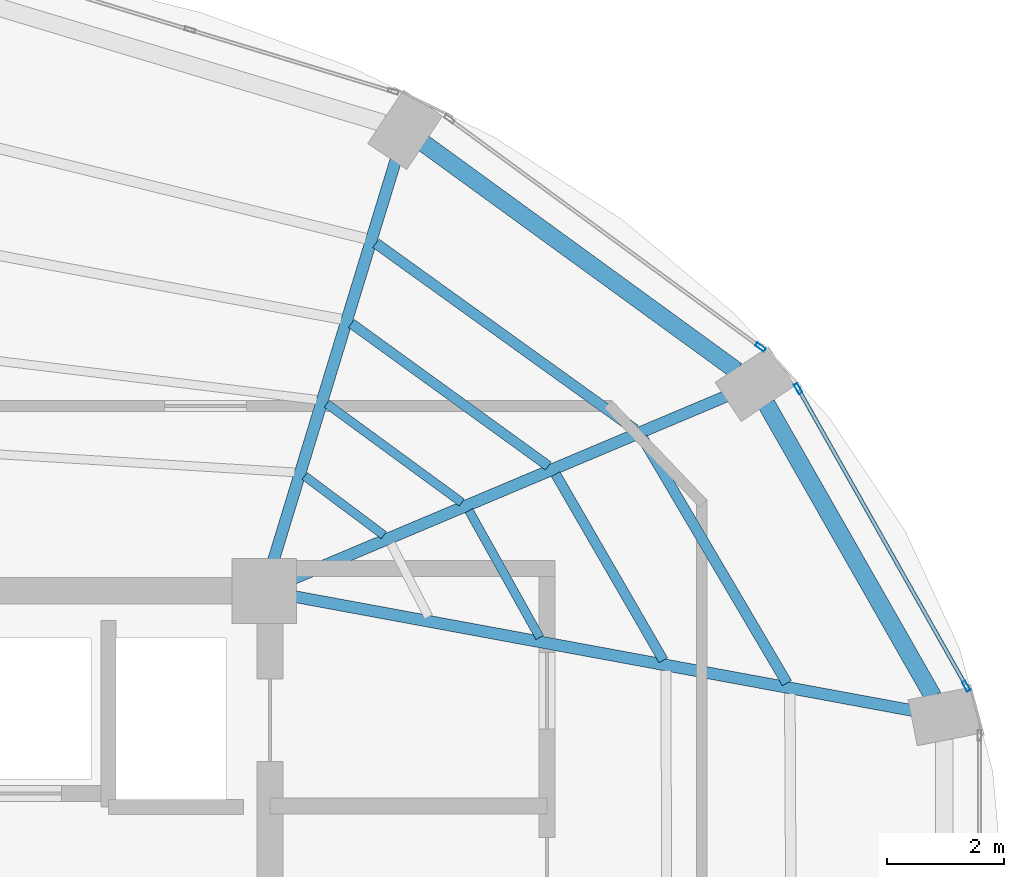
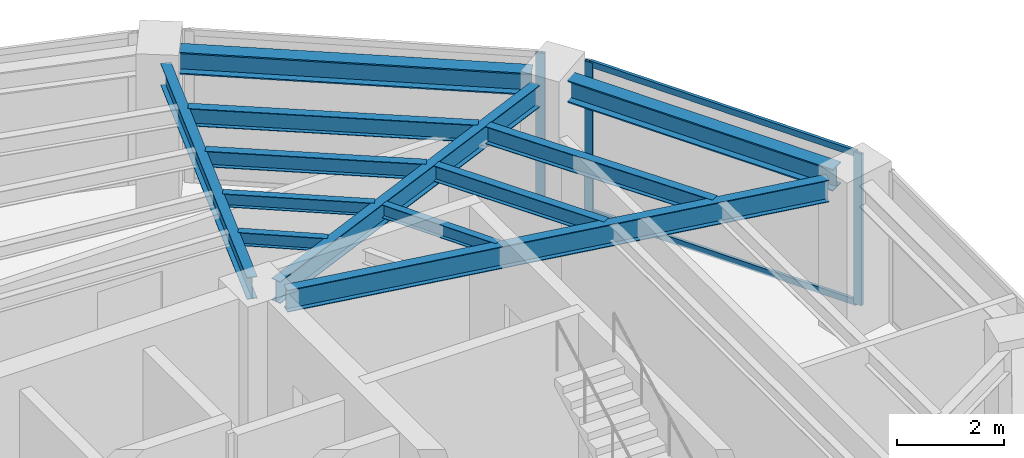
# One storey, part 15 of 22: 12 beams, 5 members, 2 elements without a shape of their own.
"""IFC4 building model written with IfcOpenShell, lengths in metres."""

from ifc_helpers import new_model, si_unit, direction, frame, origin, origin_2d, place, context, subcontext, project, spatial, hollow_rectangle, i_section, extrude, material, layer, layer_set, material_profile, profile_set, type_object, element, aggregate, save


model = new_model("IFC4")

# Units and contexts
model_context = context("Model", 3, precision=1e-05, world=origin(), true_north=direction((0.0, 1.0)))
body_context = subcontext(model_context, "Body", "Model", "MODEL_VIEW")
ifc_project = project(units=[si_unit("LENGTHUNIT", "METRE"), si_unit("AREAUNIT", "SQUARE_METRE"), si_unit("VOLUMEUNIT", "CUBIC_METRE"), si_unit("PLANEANGLEUNIT", "RADIAN"), si_unit("MASSUNIT", "GRAM", prefix="KILO")], contexts=[model_context])

# Site, building, storey
site_placement = place(None, origin())
site = spatial("IfcSite", under=ifc_project, at=site_placement, CompositionType="ELEMENT")
building_placement = place(site_placement, origin())
building = spatial("IfcBuilding", under=site, at=building_placement, Name="Lazwardi Medical Tower", CompositionType="ELEMENT")
storey_placement = place(building_placement, frame((0.0, 0.0, 255.02392578125)))
storey = spatial("IfcBuildingStorey", under=building, at=storey_placement, Name="L66", CompositionType="ELEMENT", Elevation=255.02392578125)

# Beams
ifc_material_1 = material(Name="Steel S355", Category="steel")
ifc_material_profile_1 = material_profile(ifc_material_1, i_section(OverallWidth=0.300048828125, OverallDepth=0.5, WebThickness=0.014404296875, FlangeThickness=0.028076171875, at=origin_2d()), Name="HEB 500")
ifc_profile_set_1 = profile_set([ifc_material_profile_1], Name="Steel S355")
beam_type_1 = type_object("IfcBeamType", Name="BM-RB-Z4", PredefinedType="BEAM", material=ifc_profile_set_1)
beam_1_placement = place(storey_placement, frame((56.991943359375, 33.8017578125, 3.197998046875), z_axis=(-0.495125273299, 0.868821594886, 0.0), x_axis=(-0.868821594886, -0.495125273299, 0.0)))
element("IfcBeam", 1, at=beam_1_placement, inside=storey, type_object=beam_type_1, Name="Ring beam RB-05 B05 L66", PredefinedType="BEAM", context=body_context, shape_type="SweptSolid", body=[
    extrude(i_section(OverallWidth=0.300048828125, OverallDepth=0.5, WebThickness=0.014404296875, FlangeThickness=0.028076171875, at=origin_2d()), origin(), (0.0, 0.0, 1.0), 5.734130859375),
])
beam_2_placement = place(storey_placement, frame((53.644287109375, 39.351806640625, 3.197998046875), z_axis=(-0.808889916254, 0.587960120571, 0.0), x_axis=(-0.587960120571, -0.808889916254, 0.0)))
element("IfcBeam", 2, at=beam_2_placement, inside=storey, type_object=beam_type_1, Name="Ring beam RB-05 B06 L66", PredefinedType="BEAM", context=body_context, shape_type="SweptSolid", body=[
    extrude(i_section(OverallWidth=0.300048828125, OverallDepth=0.5, WebThickness=0.014404296875, FlangeThickness=0.028076171875, at=origin_2d()), origin(), (0.0, 0.0, 1.0), 6.587158203125),
])
ifc_material_profile_2 = material_profile(ifc_material_1, i_section(OverallWidth=0.199951171875, OverallDepth=0.5, WebThickness=0.01025390625, FlangeThickness=0.01611328125, at=origin_2d()), Name="IPE 500")
ifc_profile_set_2 = profile_set([ifc_material_profile_2], Name="Steel S355")
beam_type_2 = type_object("IfcBeamType", Name="BM-RG-W3", PredefinedType="BEAM", material=ifc_profile_set_2)
beam_3_placement = place(storey_placement, frame((56.658935546875, 33.56005859375, 3.197998046875), z_axis=(-0.983409341459, 0.181400295288, 0.0), x_axis=(-0.181400295288, -0.983409341459, 0.0)))
element("IfcBeam", 3, at=beam_3_placement, inside=storey, type_object=beam_type_2, Name="Radial girder RG-04 R05 L66", PredefinedType="BEAM", context=body_context, shape_type="SweptSolid", body=[
    extrude(i_section(OverallWidth=0.199951171875, OverallDepth=0.5, WebThickness=0.01025390625, FlangeThickness=0.01611328125, at=origin_2d()), origin(), (0.0, 0.0, 1.0), 10.71044921875),
])
beam_4_placement = place(storey_placement, frame((53.466796875, 38.914794921875, 3.197998046875), z_axis=(-0.921526791352, -0.388314785735, 0.0), x_axis=(0.388314785735, -0.921526791352, 0.0)))
element("IfcBeam", 4, at=beam_4_placement, inside=storey, type_object=beam_type_2, Name="Radial girder RG-04 R06 L66", PredefinedType="BEAM", context=body_context, shape_type="SweptSolid", body=[
    extrude(i_section(OverallWidth=0.199951171875, OverallDepth=0.5, WebThickness=0.01025390625, FlangeThickness=0.01611328125, at=origin_2d()), origin(), (0.0, 0.0, 1.0), 8.001708984375),
])
beam_5_placement = place(storey_placement, frame((47.843994140625, 42.9423828125, 3.197998046875), z_axis=(-0.292276716539, -0.956333791607, 0.0), x_axis=(0.956333791607, -0.292276716539, 0.0)))
element("IfcBeam", 5, at=beam_5_placement, inside=storey, type_object=beam_type_2, Name="Radial girder RG-04 R07 L66", PredefinedType="BEAM", context=body_context, shape_type="SweptSolid", body=[
    extrude(i_section(OverallWidth=0.199951171875, OverallDepth=0.5, WebThickness=0.01025390625, FlangeThickness=0.01611328125, at=origin_2d()), origin(), (0.0, 0.0, 1.0), 7.142822265625),
])
ifc_material_profile_3 = material_profile(ifc_material_1, i_section(OverallWidth=0.179931640625, OverallDepth=0.39990234375, WebThickness=0.008544921875, FlangeThickness=0.013427734375, at=origin_2d()), Name="IPE 400")
ifc_profile_set_3 = profile_set([ifc_material_profile_3], Name="Steel S355")
beam_type_3 = type_object("IfcBeamType", Name="BM-SJ-01", PredefinedType="JOIST", material=ifc_profile_set_3)
beam_6_placement = place(storey_placement, frame((54.504150390625, 34.030517578125, 3.248046875), z_axis=(-0.507710311367, 0.861527851977, 0.0), x_axis=(-0.861527851977, -0.507710311367, 0.0)))
element("IfcBeam", 6, at=beam_6_placement, inside=storey, type_object=beam_type_3, Name="Secondary joist SJ-01 R1 B05 L66", PredefinedType="JOIST", context=body_context, shape_type="SweptSolid", body=[
    extrude(i_section(OverallWidth=0.179931640625, OverallDepth=0.39990234375, WebThickness=0.008544921875, FlangeThickness=0.013427734375, at=origin_2d()), origin(), (0.0, 0.0, 1.0), 4.852783203125),
])
beam_7_placement = place(storey_placement, frame((51.914794921875, 38.348876953125, 3.248046875), z_axis=(-0.811889581337, 0.58381102055, 0.0), x_axis=(-0.58381102055, -0.811889581337, 0.0)))
element("IfcBeam", 7, at=beam_7_placement, inside=storey, type_object=beam_type_3, Name="Secondary joist SJ-01 R1 B06 L66", PredefinedType="JOIST", context=body_context, shape_type="SweptSolid", body=[
    extrude(i_section(OverallWidth=0.179931640625, OverallDepth=0.39990234375, WebThickness=0.008544921875, FlangeThickness=0.013427734375, at=origin_2d()), origin(), (0.0, 0.0, 1.0), 5.433349609375),
])
ifc_material_profile_4 = material_profile(ifc_material_1, i_section(OverallWidth=0.169921875, OverallDepth=0.360107421875, WebThickness=0.008056640625, FlangeThickness=0.0126953125, at=origin_2d()), Name="IPE 360")
ifc_profile_set_4 = profile_set([ifc_material_profile_4], Name="Steel S355")
beam_type_4 = type_object("IfcBeamType", Name="BM-SJ-02", PredefinedType="JOIST", material=ifc_profile_set_4)
beam_8_placement = place(storey_placement, frame((52.398193359375, 34.41943359375, 3.26806640625), z_axis=(-0.500655179543, 0.865646805109, 0.0), x_axis=(-0.865646805109, -0.500655179543, 0.0)))
element("IfcBeam", 8, at=beam_8_placement, inside=storey, type_object=beam_type_4, Name="Secondary joist SJ-02 R2 B05 L66", PredefinedType="JOIST", context=body_context, shape_type="SweptSolid", body=[
    extrude(i_section(OverallWidth=0.169921875, OverallDepth=0.360107421875, WebThickness=0.008056640625, FlangeThickness=0.0126953125, at=origin_2d()), origin(), (0.0, 0.0, 1.0), 3.662109375),
])
beam_9_placement = place(storey_placement, frame((50.440185546875, 37.7275390625, 3.26806640625), z_axis=(-0.810164229155, 0.586202969796, 0.0), x_axis=(-0.586202969796, -0.810164229155, 0.0)))
element("IfcBeam", 9, at=beam_9_placement, inside=storey, type_object=beam_type_4, Name="Secondary joist SJ-02 R2 B06 L66", PredefinedType="JOIST", context=body_context, shape_type="SweptSolid", body=[
    extrude(i_section(OverallWidth=0.169921875, OverallDepth=0.360107421875, WebThickness=0.008056640625, FlangeThickness=0.0126953125, at=origin_2d()), origin(), (0.0, 0.0, 1.0), 4.14013671875),
])
ifc_material_profile_5 = material_profile(ifc_material_1, i_section(OverallWidth=0.14990234375, OverallDepth=0.300048828125, WebThickness=0.007080078125, FlangeThickness=0.0107421875, at=origin_2d()), Name="IPE 300")
ifc_profile_set_5 = profile_set([ifc_material_profile_5], Name="Steel S355")
beam_type_5 = type_object("IfcBeamType", Name="BM-SJ-03", PredefinedType="JOIST", material=ifc_profile_set_5)
beam_10_placement = place(storey_placement, frame((50.29296875, 34.80859375, 3.298095703125), z_axis=(-0.487092942089, 0.873350139272, 0.0), x_axis=(-0.873350139272, -0.487092942089, 0.0)))
element("IfcBeam", 10, at=beam_10_placement, inside=storey, type_object=beam_type_5, Name="Secondary joist SJ-03 R3 B05 L66", PredefinedType="JOIST", context=body_context, shape_type="SweptSolid", body=[
    extrude(i_section(OverallWidth=0.14990234375, OverallDepth=0.300048828125, WebThickness=0.007080078125, FlangeThickness=0.0107421875, at=origin_2d()), origin(), (0.0, 0.0, 1.0), 2.471923828125),
])
beam_11_placement = place(storey_placement, frame((48.9658203125, 37.106689453125, 3.298095703125), z_axis=(-0.80703431267, 0.59050454543, 0.0), x_axis=(-0.59050454543, -0.80703431267, 0.0)))
element("IfcBeam", 11, at=beam_11_placement, inside=storey, type_object=beam_type_5, Name="Secondary joist SJ-03 R3 B06 L66", PredefinedType="JOIST", context=body_context, shape_type="SweptSolid", body=[
    extrude(i_section(OverallWidth=0.14990234375, OverallDepth=0.300048828125, WebThickness=0.007080078125, FlangeThickness=0.0107421875, at=origin_2d()), origin(), (0.0, 0.0, 1.0), 2.846923828125),
])
beam_12_placement = place(storey_placement, frame((47.63916015625, 36.548095703125, 3.298095703125), z_axis=(-0.800365301971, 0.599512621553, 0.0), x_axis=(-0.599512621553, -0.800365301971, 0.0)))
element("IfcBeam", 12, at=beam_12_placement, inside=storey, type_object=beam_type_5, Name="Secondary joist SJ-03 R4 B06 L66", PredefinedType="JOIST", context=body_context, shape_type="SweptSolid", body=[
    extrude(i_section(OverallWidth=0.14990234375, OverallDepth=0.300048828125, WebThickness=0.007080078125, FlangeThickness=0.0107421875, at=origin_2d()), origin(), (0.0, 0.0, 1.0), 1.68359375),
])

# Curtain wall, members
ifc_material_2 = material(Name="Anodised bronze aluminium and solar control glazing", Category="aluminium")
ifc_layer = layer(ifc_material_2, 0.18994140625)
ifc_layer_set = layer_set([ifc_layer], Name="Anodised bronze aluminium and solar control glazing")
curtain_wall_type = type_object("IfcCurtainWallType", Name="CW-SYS-04", PredefinedType="NOTDEFINED", material=ifc_layer_set)
curtain_wall_1_placement = place(storey_placement, origin())
curtain_wall_1 = element("IfcCurtainWall", 13, at=curtain_wall_1_placement, inside=storey, type_object=curtain_wall_type, Name="L66 Unitised bronze curtain wall CW-04", PredefinedType="NOTDEFINED")
ifc_material_3 = material(Name="Anodised bronze aluminium", Category="aluminium")
ifc_material_profile_6 = material_profile(ifc_material_3, hollow_rectangle(XDim=0.06494140625, YDim=0.179931640625, WallThickness=0.00390625, at=origin_2d()), Name="ALU-MULLION 180x65x4")
ifc_profile_set_6 = profile_set([ifc_material_profile_6], Name="Anodised bronze aluminium")
member_type_1 = type_object("IfcMemberType", Name="CW-MUL-03", PredefinedType="MULLION", material=ifc_profile_set_6)
member_1_placement = place(storey_placement, frame((57.557373046875, 33.978271484375, 0.0), z_axis=(0.0, 0.0, 1.0), x_axis=(-0.870651436011, -0.491900474661, 0.0)))
member_1 = element("IfcMember", 14, at=member_1_placement, type_object=member_type_1, Name="CW-04 mullion 1", PredefinedType="MULLION", context=body_context, shape_type="SweptSolid", body=[
    extrude(hollow_rectangle(XDim=0.06494140625, YDim=0.179931640625, WallThickness=0.00390625, at=origin_2d()), origin(), (0.0, 0.0, 1.0), 3.447998046875),
])
member_2_placement = place(storey_placement, frame((54.6943359375, 39.04541015625, 0.0), z_axis=(0.0, 0.0, 1.0), x_axis=(-0.870651436011, -0.491900474661, 0.0)))
member_2 = element("IfcMember", 15, at=member_2_placement, type_object=member_type_1, Name="CW-04 mullion 2", PredefinedType="MULLION", context=body_context, shape_type="SweptSolid", body=[
    extrude(hollow_rectangle(XDim=0.06494140625, YDim=0.179931640625, WallThickness=0.00390625, at=origin_2d()), origin(), (0.0, 0.0, 1.0), 3.447998046875),
])

# Curtain wall, member
curtain_wall_2_placement = place(storey_placement, origin())
curtain_wall_2 = element("IfcCurtainWall", 16, at=curtain_wall_2_placement, inside=storey, type_object=curtain_wall_type, Name="L66 Unitised bronze curtain wall CW-04", PredefinedType="NOTDEFINED")
member_3_placement = place(storey_placement, frame((54.052001953125, 39.751708984375, 0.0), z_axis=(0.0, 0.0, 1.0), x_axis=(-0.591268230971, -0.806474971121, 0.0)))
member_3 = element("IfcMember", 17, at=member_3_placement, type_object=member_type_1, Name="CW-04 mullion 1", PredefinedType="MULLION", context=body_context, shape_type="SweptSolid", body=[
    extrude(hollow_rectangle(XDim=0.06494140625, YDim=0.179931640625, WallThickness=0.00390625, at=origin_2d()), origin(), (0.0, 0.0, 1.0), 3.447998046875),
])
aggregate(curtain_wall_2, [member_3])

# Member
ifc_material_profile_7 = material_profile(ifc_material_3, hollow_rectangle(XDim=0.06494140625, YDim=0.139892578125, WallThickness=0.00341796875, at=origin_2d()), Name="ALU-TRANSOM 140x65x3.5")
ifc_profile_set_7 = profile_set([ifc_material_profile_7], Name="Anodised bronze aluminium")
member_type_2 = type_object("IfcMemberType", Name="CW-TRN-03", PredefinedType="USERDEFINED", material=ifc_profile_set_7)
member_4_placement = place(storey_placement, frame((57.541259765625, 34.006591796875, 0.032470703125), z_axis=(-0.491897887635, 0.870652897623, 0.0), x_axis=(-0.870652897623, -0.491897887635, 0.0)))
member_4 = element("IfcMember", 18, at=member_4_placement, type_object=member_type_2, Name="CW-04 transom 1.1", ObjectType="TRANSOM", PredefinedType="USERDEFINED", context=body_context, shape_type="SweptSolid", body=[
    extrude(hollow_rectangle(XDim=0.06494140625, YDim=0.139892578125, WallThickness=0.00341796875, at=origin_2d()), origin(), (0.0, 0.0, 1.0), 5.7548828125),
])

member_5_placement = place(storey_placement, frame((57.541259765625, 34.006591796875, 3.41552734375), z_axis=(-0.491897887635, 0.870652897623, 0.0), x_axis=(-0.870652897623, -0.491897887635, 0.0)))
member_5 = element("IfcMember", 19, at=member_5_placement, type_object=member_type_2, Name="CW-04 transom 1.2", ObjectType="TRANSOM", PredefinedType="USERDEFINED", context=body_context, shape_type="SweptSolid", body=[
    extrude(hollow_rectangle(XDim=0.06494140625, YDim=0.139892578125, WallThickness=0.00341796875, at=origin_2d()), origin(), (0.0, 0.0, 1.0), 5.7548828125),
])

aggregate(curtain_wall_1, [member_1, member_2, member_4, member_5])

save(model, "model.ifc")
